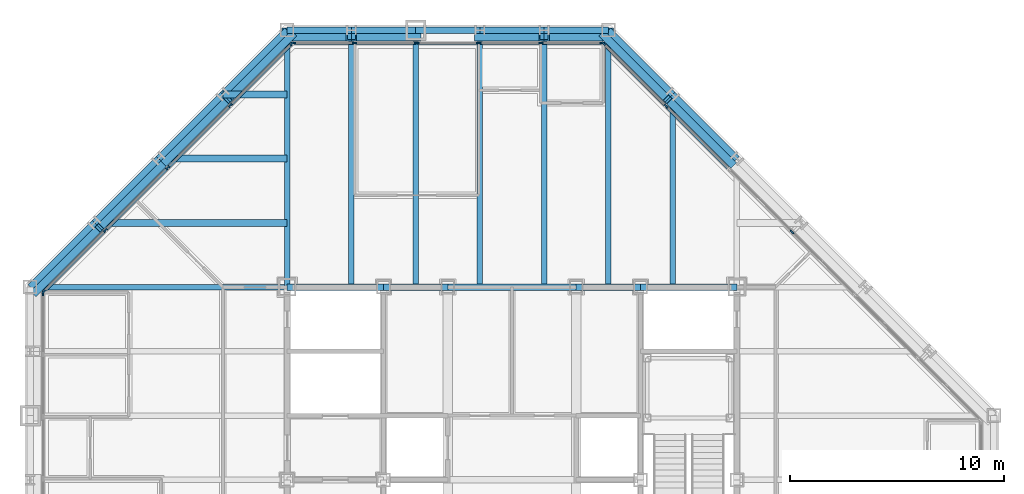
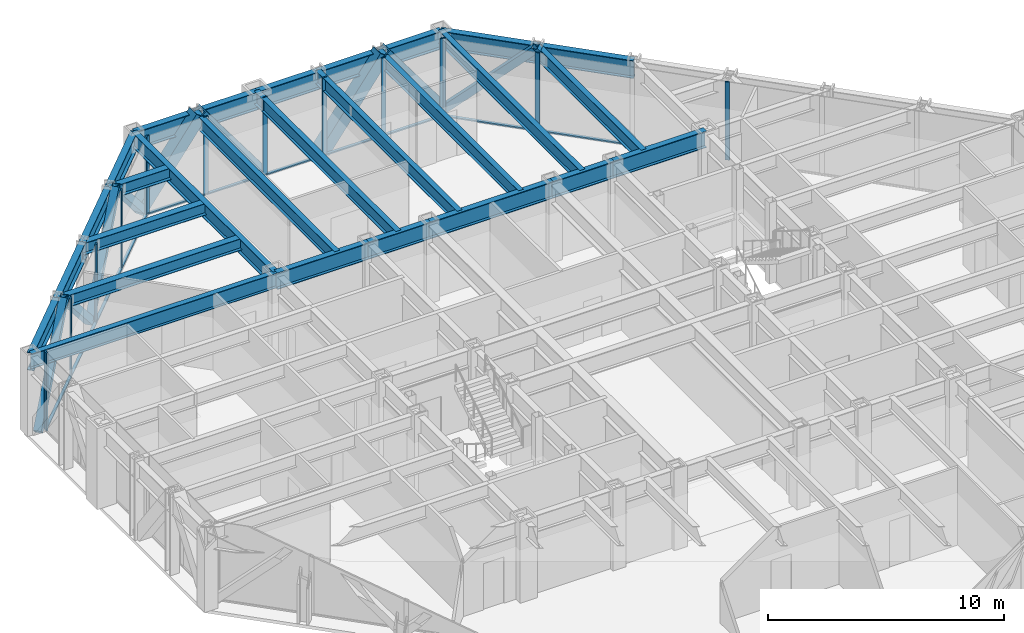
# One storey, part 8 of 16: 36 members, 27 beams, 4 elements without a shape of their own.
"""IFC4 building model written with IfcOpenShell, lengths in metres."""

from ifc_helpers import new_model, si_unit, direction, frame, origin, origin_2d, place, context, subcontext, project, spatial, rectangle, hollow_rectangle, i_section, extrude, material, layer, layer_set, material_profile, profile_set, type_object, element, aggregate, save


model = new_model("IFC4")

# Units and contexts
model_context = context("Model", 3, precision=1e-05, world=origin(), true_north=direction((0.0, 1.0)))
body_context = subcontext(model_context, "Body", "Model", "MODEL_VIEW")
ifc_project = project(units=[si_unit("LENGTHUNIT", "METRE"), si_unit("AREAUNIT", "SQUARE_METRE"), si_unit("VOLUMEUNIT", "CUBIC_METRE"), si_unit("PLANEANGLEUNIT", "RADIAN"), si_unit("MASSUNIT", "GRAM", prefix="KILO")], contexts=[model_context])

# Site, building, storey
site_placement = place(None, origin())
site = spatial("IfcSite", under=ifc_project, at=site_placement, CompositionType="ELEMENT")
building_placement = place(site_placement, origin())
building = spatial("IfcBuilding", under=site, at=building_placement, Name="Chuquiago Exchange Tower", CompositionType="ELEMENT")
storey_placement = place(building_placement, frame((0.0, 0.0, 213.89990234375)))
storey = spatial("IfcBuildingStorey", under=building, at=storey_placement, Name="L47", CompositionType="ELEMENT", Elevation=213.89990234375)

# Beams
ifc_material_1 = material(Name="Steel ASTM A992", Category="steel")
ifc_material_profile_1 = material_profile(ifc_material_1, i_section(OverallWidth=0.25390625, OverallDepth=0.683349609375, WebThickness=0.012451171875, FlangeThickness=0.018798828125, at=origin_2d()), Name="W27X94")
ifc_profile_set_1 = profile_set([ifc_material_profile_1], Name="Steel ASTM A992")
beam_type_1 = type_object("IfcBeamType", Name="B1 W27X94", PredefinedType="BEAM", material=ifc_profile_set_1)
for number, where, z_axis, x_axis, name in (
    (1, (15.0, 33.0, 3.698486328125), (0.0, 1.0, 0.0), (-1.0, 0.0, 0.0), "FB-L48-infill-15_33-15_45-0"),
    (2, (18.0, 33.0, 3.698486328125), (0.0, 1.0, 0.0), (-1.0, 0.0, 0.0), "FB-L48-infill-18_33-18_45-0"),
    (3, (21.0, 33.0, 3.698486328125), (0.0, 1.0, 0.0), (-1.0, 0.0, 0.0), "FB-L48-infill-21_33-21_45-0"),
    (4, (24.0, 33.0, 3.698486328125), (0.0, 1.0, 0.0), (-1.0, 0.0, 0.0), "FB-L48-infill-24_33-24_45-0"),
    (5, (27.0, 33.0, 3.698486328125), (0.0, 1.0, 0.0), (-1.0, 0.0, 0.0), "FB-L48-infill-27_33-27_45-0"),
):
    element("IfcBeam", number, at=place(storey_placement, frame(where, z_axis=z_axis, x_axis=x_axis)), inside=storey, type_object=beam_type_1, Name=name, PredefinedType="BEAM", context=body_context, shape_type="SweptSolid", body=[
        extrude(i_section(OverallWidth=0.25390625, OverallDepth=0.683349609375, WebThickness=0.012451171875, FlangeThickness=0.018798828125, at=origin_2d()), origin(), (0.0, 0.0, 1.0), 12.0),
    ])
beam_1_placement = place(storey_placement, frame((30.0, 33.0, 3.698486328125), z_axis=(0.0, 1.0, 0.0), x_axis=(-1.0, 0.0, 0.0)))
element("IfcBeam", 6, at=beam_1_placement, inside=storey, type_object=beam_type_1, Name="FB-L48-infill-30_33-30_42-0", PredefinedType="BEAM", context=body_context, shape_type="SweptSolid", body=[
    extrude(i_section(OverallWidth=0.25390625, OverallDepth=0.683349609375, WebThickness=0.012451171875, FlangeThickness=0.018798828125, at=origin_2d()), origin(), (0.0, 0.0, 1.0), 9.0),
])
ifc_material_2 = material(Name="Steel ASTM A992", Category="steel")
ifc_material_profile_2 = material_profile(ifc_material_2, i_section(OverallWidth=0.3251953125, OverallDepth=0.612060546875, WebThickness=0.0126953125, FlangeThickness=0.01904296875, at=origin_2d()), Name="W24X104")
ifc_profile_set_2 = profile_set([ifc_material_profile_2], Name="Steel ASTM A992")
beam_type_2 = type_object("IfcBeamType", Name="B2 W24X104", PredefinedType="BEAM", material=ifc_profile_set_2)
beam_2_placement = place(storey_placement, frame((12.0, 36.0, 3.73388671875), z_axis=(-1.0, 0.0, 0.0), x_axis=(0.0, -1.0, 0.0)))
element("IfcBeam", 7, at=beam_2_placement, inside=storey, type_object=beam_type_2, Name="FB-L48-corner-12_36-3_36-0", PredefinedType="BEAM", context=body_context, shape_type="SweptSolid", body=[
    extrude(i_section(OverallWidth=0.3251953125, OverallDepth=0.612060546875, WebThickness=0.0126953125, FlangeThickness=0.01904296875, at=origin_2d()), origin(), (0.0, 0.0, 1.0), 9.0),
])
beam_3_placement = place(storey_placement, frame((12.0, 39.0, 3.73388671875), z_axis=(-1.0, 0.0, 0.0), x_axis=(0.0, -1.0, 0.0)))
element("IfcBeam", 8, at=beam_3_placement, inside=storey, type_object=beam_type_2, Name="FB-L48-corner-12_39-6_39-0", PredefinedType="BEAM", context=body_context, shape_type="SweptSolid", body=[
    extrude(i_section(OverallWidth=0.3251953125, OverallDepth=0.612060546875, WebThickness=0.0126953125, FlangeThickness=0.01904296875, at=origin_2d()), origin(), (0.0, 0.0, 1.0), 6.0),
])
beam_4_placement = place(storey_placement, frame((12.0, 42.0, 3.73388671875), z_axis=(-1.0, 0.0, 0.0), x_axis=(0.0, -1.0, 0.0)))
element("IfcBeam", 9, at=beam_4_placement, inside=storey, type_object=beam_type_2, Name="FB-L48-corner-12_42-9_42-0", PredefinedType="BEAM", context=body_context, shape_type="SweptSolid", body=[
    extrude(i_section(OverallWidth=0.3251953125, OverallDepth=0.612060546875, WebThickness=0.0126953125, FlangeThickness=0.01904296875, at=origin_2d()), origin(), (0.0, 0.0, 1.0), 3.0),
])
ifc_material_3 = material(Name="Steel ASTM A992", Category="steel")
ifc_material_profile_3 = material_profile(ifc_material_3, i_section(OverallWidth=0.2919921875, OverallDepth=0.8583984375, WebThickness=0.01708984375, FlangeThickness=0.031005859375, at=origin_2d()), Name="W33X169")
ifc_profile_set_3 = profile_set([ifc_material_profile_3], Name="Steel ASTM A992")
beam_type_3 = type_object("IfcBeamType", Name="B3 W33X169", PredefinedType="BEAM", material=ifc_profile_set_3)
beam_5_placement = place(storey_placement, frame((12.0, 33.0, 3.61083984375), z_axis=(1.0, 0.0, 0.0), x_axis=(0.0, 1.0, 0.0)))
element("IfcBeam", 10, at=beam_5_placement, inside=storey, type_object=beam_type_3, Name="CB-L48-12_33-16.5_33", PredefinedType="BEAM", context=body_context, shape_type="SweptSolid", body=[
    extrude(i_section(OverallWidth=0.2919921875, OverallDepth=0.8583984375, WebThickness=0.01708984375, FlangeThickness=0.031005859375, at=origin_2d()), origin(), (0.0, 0.0, 1.0), 4.5),
])
beam_6_placement = place(storey_placement, frame((16.5, 33.0, 3.61083984375), z_axis=(1.0, 0.0, 0.0), x_axis=(0.0, 1.0, 0.0)))
element("IfcBeam", 11, at=beam_6_placement, inside=storey, type_object=beam_type_3, Name="CB-L48-16.5_33-19.5_33", PredefinedType="BEAM", context=body_context, shape_type="SweptSolid", body=[
    extrude(i_section(OverallWidth=0.2919921875, OverallDepth=0.8583984375, WebThickness=0.01708984375, FlangeThickness=0.031005859375, at=origin_2d()), origin(), (0.0, 0.0, 1.0), 3.0),
])
beam_7_placement = place(storey_placement, frame((19.5, 33.0, 3.61083984375), z_axis=(1.0, 0.0, 0.0), x_axis=(0.0, 1.0, 0.0)))
element("IfcBeam", 12, at=beam_7_placement, inside=storey, type_object=beam_type_3, Name="CB-L48-19.5_33-25.5_33", PredefinedType="BEAM", context=body_context, shape_type="SweptSolid", body=[
    extrude(i_section(OverallWidth=0.2919921875, OverallDepth=0.8583984375, WebThickness=0.01708984375, FlangeThickness=0.031005859375, at=origin_2d()), origin(), (0.0, 0.0, 1.0), 6.0),
])
beam_8_placement = place(storey_placement, frame((25.5, 33.0, 3.61083984375), z_axis=(1.0, 0.0, 0.0), x_axis=(0.0, 1.0, 0.0)))
element("IfcBeam", 13, at=beam_8_placement, inside=storey, type_object=beam_type_3, Name="CB-L48-25.5_33-28.5_33", PredefinedType="BEAM", context=body_context, shape_type="SweptSolid", body=[
    extrude(i_section(OverallWidth=0.2919921875, OverallDepth=0.8583984375, WebThickness=0.01708984375, FlangeThickness=0.031005859375, at=origin_2d()), origin(), (0.0, 0.0, 1.0), 3.0),
])
beam_9_placement = place(storey_placement, frame((28.5, 33.0, 3.61083984375), z_axis=(1.0, 0.0, 0.0), x_axis=(0.0, 1.0, 0.0)))
element("IfcBeam", 14, at=beam_9_placement, inside=storey, type_object=beam_type_3, Name="CB-L48-28.5_33-33_33", PredefinedType="BEAM", context=body_context, shape_type="SweptSolid", body=[
    extrude(i_section(OverallWidth=0.2919921875, OverallDepth=0.8583984375, WebThickness=0.01708984375, FlangeThickness=0.031005859375, at=origin_2d()), origin(), (0.0, 0.0, 1.0), 4.5),
])

# Curtain wall, members
ifc_material_4 = material(Name="Aluminium curtain wall system", Category="aluminium")
ifc_layer_1 = layer(ifc_material_4, 0.22509765625)
ifc_layer_set_1 = layer_set([ifc_layer_1], Name="CW2 office curtain wall")
curtain_wall_type_1 = type_object("IfcCurtainWallType", Name="CW2 office curtain wall", PredefinedType="NOTDEFINED", material=ifc_layer_set_1)
curtain_wall_1_placement = place(storey_placement, origin())
curtain_wall_1 = element("IfcCurtainWall", 15, at=curtain_wall_1_placement, inside=storey, type_object=curtain_wall_type_1, Name="CW2 curtain wall L47", PredefinedType="NOTDEFINED")
ifc_material_5 = material(Name="Aluminium mullion, pale anodised", Category="aluminium")
ifc_material_profile_4 = material_profile(ifc_material_5, rectangle(XDim=0.06494140625, YDim=0.22509765625, at=origin_2d()), Name="AL 65x225")
ifc_profile_set_4 = profile_set([ifc_material_profile_4], Name="Aluminium mullion, pale anodised")
member_type_1 = type_object("IfcMemberType", Name="CW2-M mullion 65x225", PredefinedType="MULLION", material=ifc_profile_set_4)
member_1_placement = place(storey_placement, frame((26.718994140625, 44.39990234375, 0.0), z_axis=(0.0, 0.0, 1.0), x_axis=(0.0, -1.0, 0.0)))
member_1 = element("IfcMember", 16, at=member_1_placement, type_object=member_type_1, Name="CW2 mullion 1", PredefinedType="MULLION", context=body_context, shape_type="SweptSolid", body=[
    extrude(rectangle(XDim=0.06494140625, YDim=0.22509765625, at=origin_2d()), origin(), (0.0, 0.0, 1.0), 4.0400390625),
])
member_2_placement = place(storey_placement, frame((23.850830078125, 44.39990234375, 0.0), z_axis=(0.0, 0.0, 1.0), x_axis=(0.0, -1.0, 0.0)))
member_2 = element("IfcMember", 17, at=member_2_placement, type_object=member_type_1, Name="CW2 mullion 2", PredefinedType="MULLION", context=body_context, shape_type="SweptSolid", body=[
    extrude(rectangle(XDim=0.06494140625, YDim=0.22509765625, at=origin_2d()), origin(), (0.0, 0.0, 1.0), 4.0400390625),
])
member_3_placement = place(storey_placement, frame((20.9501953125, 44.39990234375, 0.0), z_axis=(0.0, 0.0, 1.0), x_axis=(0.0, -1.0, 0.0)))
member_3 = element("IfcMember", 18, at=member_3_placement, type_object=member_type_1, Name="CW2 mullion 3", PredefinedType="MULLION", context=body_context, shape_type="SweptSolid", body=[
    extrude(rectangle(XDim=0.06494140625, YDim=0.22509765625, at=origin_2d()), origin(), (0.0, 0.0, 1.0), 4.0400390625),
])
member_4_placement = place(storey_placement, frame((18.0498046875, 44.39990234375, 0.0), z_axis=(0.0, 0.0, 1.0), x_axis=(0.0, -1.0, 0.0)))
member_4 = element("IfcMember", 19, at=member_4_placement, type_object=member_type_1, Name="CW2 mullion 4", PredefinedType="MULLION", context=body_context, shape_type="SweptSolid", body=[
    extrude(rectangle(XDim=0.06494140625, YDim=0.22509765625, at=origin_2d()), origin(), (0.0, 0.0, 1.0), 4.0400390625),
])
member_5_placement = place(storey_placement, frame((15.149169921875, 44.39990234375, 0.0), z_axis=(0.0, 0.0, 1.0), x_axis=(0.0, -1.0, 0.0)))
member_5 = element("IfcMember", 20, at=member_5_placement, type_object=member_type_1, Name="CW2 mullion 5", PredefinedType="MULLION", context=body_context, shape_type="SweptSolid", body=[
    extrude(rectangle(XDim=0.06494140625, YDim=0.22509765625, at=origin_2d()), origin(), (0.0, 0.0, 1.0), 4.0400390625),
])
member_6_placement = place(storey_placement, frame((12.281005859375, 44.39990234375, 0.0), z_axis=(0.0, 0.0, 1.0), x_axis=(0.0, -1.0, 0.0)))
member_6 = element("IfcMember", 21, at=member_6_placement, type_object=member_type_1, Name="CW2 mullion 6", PredefinedType="MULLION", context=body_context, shape_type="SweptSolid", body=[
    extrude(rectangle(XDim=0.06494140625, YDim=0.22509765625, at=origin_2d()), origin(), (0.0, 0.0, 1.0), 4.0400390625),
])

# Curtain wall, member
curtain_wall_2_placement = place(storey_placement, origin())
curtain_wall_2 = element("IfcCurtainWall", 22, at=curtain_wall_2_placement, inside=storey, type_object=curtain_wall_type_1, Name="CW2 curtain wall L47", PredefinedType="NOTDEFINED")
member_7_placement = place(storey_placement, frame((0.60009765625, 32.718994140625, 0.0), z_axis=(0.0, 0.0, 1.0), x_axis=(1.0, 0.0, 0.0)))
member_7 = element("IfcMember", 23, at=member_7_placement, type_object=member_type_1, Name="CW2 mullion 1", PredefinedType="MULLION", context=body_context, shape_type="SweptSolid", body=[
    extrude(rectangle(XDim=0.06494140625, YDim=0.22509765625, at=origin_2d()), origin(), (0.0, 0.0, 1.0), 4.0400390625),
])
aggregate(curtain_wall_2, [member_7])

# Member
ifc_material_6 = material(Name="Aluminium transom, pale anodised", Category="aluminium")
ifc_material_profile_5 = material_profile(ifc_material_6, rectangle(XDim=0.139892578125, YDim=0.06494140625, at=origin_2d()), Name="AL 140x65")
ifc_profile_set_5 = profile_set([ifc_material_profile_5], Name="Aluminium transom, pale anodised")
member_type_2 = type_object("IfcMemberType", Name="CW2-T transom 65x140", PredefinedType="MULLION", material=ifc_profile_set_5)
member_8_placement = place(storey_placement, frame((26.6865234375, 44.39990234375, 0.03271484375), z_axis=(-1.0, 0.0, 0.0), x_axis=(0.0, -1.0, 0.0)))
member_8 = element("IfcMember", 24, at=member_8_placement, type_object=member_type_2, Name="CW2 transom 1.1", PredefinedType="MULLION", context=body_context, shape_type="SweptSolid", body=[
    extrude(rectangle(XDim=0.139892578125, YDim=0.06494140625, at=origin_2d()), origin(), (0.0, 0.0, 1.0), 2.80322265625),
])

member_9_placement = place(storey_placement, frame((23.818359375, 44.39990234375, 0.03271484375), z_axis=(-1.0, 0.0, 0.0), x_axis=(0.0, -1.0, 0.0)))
member_9 = element("IfcMember", 25, at=member_9_placement, type_object=member_type_2, Name="CW2 transom 2.1", PredefinedType="MULLION", context=body_context, shape_type="SweptSolid", body=[
    extrude(rectangle(XDim=0.139892578125, YDim=0.06494140625, at=origin_2d()), origin(), (0.0, 0.0, 1.0), 2.83544921875),
])

member_10_placement = place(storey_placement, frame((20.917724609375, 44.39990234375, 0.03271484375), z_axis=(-1.0, 0.0, 0.0), x_axis=(0.0, -1.0, 0.0)))
member_10 = element("IfcMember", 26, at=member_10_placement, type_object=member_type_2, Name="CW2 transom 3.1", PredefinedType="MULLION", context=body_context, shape_type="SweptSolid", body=[
    extrude(rectangle(XDim=0.139892578125, YDim=0.06494140625, at=origin_2d()), origin(), (0.0, 0.0, 1.0), 2.83544921875),
])

member_11_placement = place(storey_placement, frame((18.01708984375, 44.39990234375, 0.03271484375), z_axis=(-1.0, 0.0, 0.0), x_axis=(0.0, -1.0, 0.0)))
member_11 = element("IfcMember", 27, at=member_11_placement, type_object=member_type_2, Name="CW2 transom 4.1", PredefinedType="MULLION", context=body_context, shape_type="SweptSolid", body=[
    extrude(rectangle(XDim=0.139892578125, YDim=0.06494140625, at=origin_2d()), origin(), (0.0, 0.0, 1.0), 2.83544921875),
])

member_12_placement = place(storey_placement, frame((15.11669921875, 44.39990234375, 0.03271484375), z_axis=(-1.0, 0.0, 0.0), x_axis=(0.0, -1.0, 0.0)))
member_12 = element("IfcMember", 28, at=member_12_placement, type_object=member_type_2, Name="CW2 transom 5.1", PredefinedType="MULLION", context=body_context, shape_type="SweptSolid", body=[
    extrude(rectangle(XDim=0.139892578125, YDim=0.06494140625, at=origin_2d()), origin(), (0.0, 0.0, 1.0), 2.80322265625),
])

aggregate(curtain_wall_1, [member_1, member_2, member_3, member_4, member_5, member_6, member_8, member_9, member_10, member_11, member_12])

# Curtain wall, members
ifc_material_7 = material(Name="Aluminium curtain wall system", Category="aluminium")
ifc_layer_2 = layer(ifc_material_7, 0.199951171875)
ifc_layer_set_2 = layer_set([ifc_layer_2], Name="CW3 facet curtain wall")
curtain_wall_type_2 = type_object("IfcCurtainWallType", Name="CW3 facet curtain wall", PredefinedType="NOTDEFINED", material=ifc_layer_set_2)
curtain_wall_3_placement = place(storey_placement, origin())
curtain_wall_3 = element("IfcCurtainWall", 29, at=curtain_wall_3_placement, inside=storey, type_object=curtain_wall_type_2, Name="CW3 curtain wall L47", PredefinedType="NOTDEFINED")
ifc_material_8 = material(Name="Aluminium mullion, pale anodised", Category="aluminium")
ifc_material_profile_6 = material_profile(ifc_material_8, rectangle(XDim=0.06494140625, YDim=0.199951171875, at=origin_2d()), Name="AL 65x200")
ifc_profile_set_6 = profile_set([ifc_material_profile_6], Name="Aluminium mullion, pale anodised")
member_type_3 = type_object("IfcMemberType", Name="CW3-M mullion 65x200", PredefinedType="MULLION", material=ifc_profile_set_6)
member_13_placement = place(storey_placement, frame((35.57568359375, 35.57568359375, 0.0), z_axis=(0.0, 0.0, 1.0), x_axis=(-0.707106781187, -0.707106781187, 0.0)))
member_13 = element("IfcMember", 30, at=member_13_placement, type_object=member_type_3, Name="CW3 mullion 4", PredefinedType="MULLION", context=body_context, shape_type="SweptSolid", body=[
    extrude(rectangle(XDim=0.06494140625, YDim=0.199951171875, at=origin_2d()), origin(), (0.0, 0.0, 1.0), 4.0400390625),
])
member_14_placement = place(storey_placement, frame((29.69287109375, 41.45849609375, 0.0), z_axis=(0.0, 0.0, 1.0), x_axis=(-0.707106781187, -0.707106781187, 0.0)))
member_14 = element("IfcMember", 31, at=member_14_placement, type_object=member_type_3, Name="CW3 mullion 6", PredefinedType="MULLION", context=body_context, shape_type="SweptSolid", body=[
    extrude(rectangle(XDim=0.06494140625, YDim=0.199951171875, at=origin_2d()), origin(), (0.0, 0.0, 1.0), 4.0400390625),
])
member_15_placement = place(storey_placement, frame((26.7744140625, 44.376953125, 0.0), z_axis=(0.0, 0.0, 1.0), x_axis=(-0.707106781187, -0.707106781187, 0.0)))
member_15 = element("IfcMember", 32, at=member_15_placement, type_object=member_type_3, Name="CW3 mullion 7", PredefinedType="MULLION", context=body_context, shape_type="SweptSolid", body=[
    extrude(rectangle(XDim=0.06494140625, YDim=0.199951171875, at=origin_2d()), origin(), (0.0, 0.0, 1.0), 4.0400390625),
])

curtain_wall_4_placement = place(storey_placement, origin())
curtain_wall_4 = element("IfcCurtainWall", 33, at=curtain_wall_4_placement, inside=storey, type_object=curtain_wall_type_2, Name="CW3 curtain wall L47", PredefinedType="NOTDEFINED")
member_16_placement = place(storey_placement, frame((12.2255859375, 44.376953125, 0.0), z_axis=(0.0, 0.0, 1.0), x_axis=(0.707106781187, -0.707106781187, 0.0)))
member_16 = element("IfcMember", 34, at=member_16_placement, type_object=member_type_3, Name="CW3 mullion 1", PredefinedType="MULLION", context=body_context, shape_type="SweptSolid", body=[
    extrude(rectangle(XDim=0.06494140625, YDim=0.199951171875, at=origin_2d()), origin(), (0.0, 0.0, 1.0), 4.0400390625),
])
member_17_placement = place(storey_placement, frame((9.33642578125, 41.48779296875, 0.0), z_axis=(0.0, 0.0, 1.0), x_axis=(0.707106781187, -0.707106781187, 0.0)))
member_17 = element("IfcMember", 35, at=member_17_placement, type_object=member_type_3, Name="CW3 mullion 2", PredefinedType="MULLION", context=body_context, shape_type="SweptSolid", body=[
    extrude(rectangle(XDim=0.06494140625, YDim=0.199951171875, at=origin_2d()), origin(), (0.0, 0.0, 1.0), 4.0400390625),
])
member_18_placement = place(storey_placement, frame((6.42431640625, 38.57568359375, 0.0), z_axis=(0.0, 0.0, 1.0), x_axis=(0.707106781187, -0.707106781187, 0.0)))
member_18 = element("IfcMember", 36, at=member_18_placement, type_object=member_type_3, Name="CW3 mullion 3", PredefinedType="MULLION", context=body_context, shape_type="SweptSolid", body=[
    extrude(rectangle(XDim=0.06494140625, YDim=0.199951171875, at=origin_2d()), origin(), (0.0, 0.0, 1.0), 4.0400390625),
])
member_19_placement = place(storey_placement, frame((3.51220703125, 35.66357421875, 0.0), z_axis=(0.0, 0.0, 1.0), x_axis=(0.707106781187, -0.707106781187, 0.0)))
member_19 = element("IfcMember", 37, at=member_19_placement, type_object=member_type_3, Name="CW3 mullion 4", PredefinedType="MULLION", context=body_context, shape_type="SweptSolid", body=[
    extrude(rectangle(XDim=0.06494140625, YDim=0.199951171875, at=origin_2d()), origin(), (0.0, 0.0, 1.0), 4.0400390625),
])
member_20_placement = place(storey_placement, frame((0.623046875, 32.7744140625, 0.0), z_axis=(0.0, 0.0, 1.0), x_axis=(0.707106781187, -0.707106781187, 0.0)))
member_20 = element("IfcMember", 38, at=member_20_placement, type_object=member_type_3, Name="CW3 mullion 5", PredefinedType="MULLION", context=body_context, shape_type="SweptSolid", body=[
    extrude(rectangle(XDim=0.06494140625, YDim=0.199951171875, at=origin_2d()), origin(), (0.0, 0.0, 1.0), 4.0400390625),
])

# Member
ifc_material_9 = material(Name="Aluminium transom, pale anodised", Category="aluminium")
ifc_material_profile_7 = material_profile(ifc_material_9, rectangle(XDim=0.139892578125, YDim=0.06494140625, at=origin_2d()), Name="AL 140x65")
ifc_profile_set_7 = profile_set([ifc_material_profile_7], Name="Aluminium transom, pale anodised")
member_type_4 = type_object("IfcMemberType", Name="CW3-T transom 65x140", PredefinedType="MULLION", material=ifc_profile_set_7)
member_21_placement = place(storey_placement, frame((32.611328125, 38.5400390625, 0.03271484375), z_axis=(-0.707106781187, 0.707106781187, 0.0), x_axis=(-0.707106781187, -0.707106781187, 0.0)))
member_21 = element("IfcMember", 39, at=member_21_placement, type_object=member_type_4, Name="CW3 transom 5.1", PredefinedType="MULLION", context=body_context, shape_type="SweptSolid", body=[
    extrude(rectangle(XDim=0.139892578125, YDim=0.06494140625, at=origin_2d()), origin(), (0.0, 0.0, 1.0), 4.094970703125),
])

member_22_placement = place(storey_placement, frame((29.669921875, 41.4814453125, 0.03271484375), z_axis=(-0.707106781187, 0.707106781187, 0.0), x_axis=(-0.707106781187, -0.707106781187, 0.0)))
member_22 = element("IfcMember", 40, at=member_22_placement, type_object=member_type_4, Name="CW3 transom 6.1", PredefinedType="MULLION", context=body_context, shape_type="SweptSolid", body=[
    extrude(rectangle(XDim=0.139892578125, YDim=0.06494140625, at=origin_2d()), origin(), (0.0, 0.0, 1.0), 4.0625),
])

aggregate(curtain_wall_3, [member_13, member_14, member_15, member_21, member_22])

member_23_placement = place(storey_placement, frame((12.20263671875, 44.35400390625, 0.03271484375), z_axis=(-0.707106781187, -0.707106781187, 0.0), x_axis=(0.707106781187, -0.707106781187, 0.0)))
member_23 = element("IfcMember", 41, at=member_23_placement, type_object=member_type_4, Name="CW3 transom 1.1", PredefinedType="MULLION", context=body_context, shape_type="SweptSolid", body=[
    extrude(rectangle(XDim=0.139892578125, YDim=0.06494140625, at=origin_2d()), origin(), (0.0, 0.0, 1.0), 4.02099609375),
])

member_24_placement = place(storey_placement, frame((9.3134765625, 41.46484375, 0.03271484375), z_axis=(-0.707106781187, -0.707106781187, 0.0), x_axis=(0.707106781187, -0.707106781187, 0.0)))
member_24 = element("IfcMember", 42, at=member_24_placement, type_object=member_type_4, Name="CW3 transom 2.1", PredefinedType="MULLION", context=body_context, shape_type="SweptSolid", body=[
    extrude(rectangle(XDim=0.139892578125, YDim=0.06494140625, at=origin_2d()), origin(), (0.0, 0.0, 1.0), 4.053466796875),
])

member_25_placement = place(storey_placement, frame((6.4013671875, 38.552734375, 0.03271484375), z_axis=(-0.707106781187, -0.707106781187, 0.0), x_axis=(0.707106781187, -0.707106781187, 0.0)))
member_25 = element("IfcMember", 43, at=member_25_placement, type_object=member_type_4, Name="CW3 transom 3.1", PredefinedType="MULLION", context=body_context, shape_type="SweptSolid", body=[
    extrude(rectangle(XDim=0.139892578125, YDim=0.06494140625, at=origin_2d()), origin(), (0.0, 0.0, 1.0), 4.053466796875),
])

member_26_placement = place(storey_placement, frame((3.4892578125, 35.640625, 0.03271484375), z_axis=(-0.707106781187, -0.707106781187, 0.0), x_axis=(0.707106781187, -0.707106781187, 0.0)))
member_26 = element("IfcMember", 44, at=member_26_placement, type_object=member_type_4, Name="CW3 transom 4.1", PredefinedType="MULLION", context=body_context, shape_type="SweptSolid", body=[
    extrude(rectangle(XDim=0.139892578125, YDim=0.06494140625, at=origin_2d()), origin(), (0.0, 0.0, 1.0), 4.02099609375),
])

aggregate(curtain_wall_4, [member_16, member_17, member_18, member_19, member_20, member_23, member_24, member_25, member_26])

# Beams
ifc_material_10 = material(Name="Steel ASTM A992", Category="steel")
ifc_material_profile_8 = material_profile(ifc_material_10, i_section(OverallWidth=0.2666015625, OverallDepth=0.76953125, WebThickness=0.015625, FlangeThickness=0.025390625, at=origin_2d()), Name="W30X132")
ifc_profile_set_8 = profile_set([ifc_material_profile_8], Name="Steel ASTM A992")
beam_type_4 = type_object("IfcBeamType", Name="G1 W30X132", PredefinedType="BEAM", material=ifc_profile_set_8)
for number, where, z_axis, x_axis, name in (
    (45, (12.0, 33.0, 3.6552734375), (0.0, 1.0, 0.0), (-1.0, 0.0, 0.0), "FB-L48-girder-12_33-12_45-0"),
    (46, (12.0, 33.0, 3.6552734375), (-1.0, 0.0, 0.0), (0.0, -1.0, 0.0), "FB-L48-girder-12_33--0_33-0"),
):
    element("IfcBeam", number, at=place(storey_placement, frame(where, z_axis=z_axis, x_axis=x_axis)), inside=storey, type_object=beam_type_4, Name=name, PredefinedType="BEAM", context=body_context, shape_type="SweptSolid", body=[
        extrude(i_section(OverallWidth=0.2666015625, OverallDepth=0.76953125, WebThickness=0.015625, FlangeThickness=0.025390625, at=origin_2d()), origin(), (0.0, 0.0, 1.0), 12.0),
    ])

# Members
ifc_material_11 = material(Name="Steel ASTM A500 Grade C", Category="steel")
ifc_material_profile_9 = material_profile(ifc_material_11, hollow_rectangle(XDim=0.355712890625, YDim=0.355712890625, WallThickness=0.0146484375, at=origin_2d()), Name="HSS14X14X5/8")
ifc_profile_set_9 = profile_set([ifc_material_profile_9], Name="Steel ASTM A500 Grade C")
member_type_5 = type_object("IfcMemberType", Name="LB2 HSS14X14X5/8", PredefinedType="BRACE", material=ifc_profile_set_9)
for number, where, z_axis, x_axis, name in (
    (47, (32.7685546875, 38.7685546875, 0.0), (-0.512077265487, 0.512077265487, 0.689604051861), (-0.707106781187, -0.707106781187, 0.0), "LB-L47-33_39-30_42"),
    (48, (26.7685546875, 44.7685546875, 0.0), (0.512077265487, -0.512077265487, 0.689604051861), (0.707106781187, 0.707106781187, 0.0), "LB-L47-30_42-27_45"),
    (49, (12.2314453125, 44.7685546875, 0.0), (-0.512077265487, -0.512077265487, 0.689604051861), (0.707106781187, -0.707106781187, 0.0), "LB-L47-12_45-9_42"),
    (50, (6.2314453125, 38.7685546875, 0.0), (0.512077265487, 0.512077265487, 0.689604051861), (-0.707106781187, 0.707106781187, 0.0), "LB-L47-9_42-6_39"),
    (51, (6.2314453125, 38.7685546875, 0.0), (-0.512077265487, -0.512077265487, 0.689604051861), (0.707106781187, -0.707106781187, 0.0), "LB-L47-6_39-3_36"),
    (52, (0.2314453125, 32.7685546875, 0.0), (0.512077265487, 0.512077265487, 0.689604051861), (-0.707106781187, 0.707106781187, 0.0), "LB-L47-3_36-0_33"),
):
    element("IfcMember", number, at=place(storey_placement, frame(where, z_axis=z_axis, x_axis=x_axis)), inside=storey, type_object=member_type_5, Name=name, PredefinedType="BRACE", context=body_context, shape_type="SweptSolid", body=[
        extrude(hollow_rectangle(XDim=0.355712890625, YDim=0.355712890625, WallThickness=0.0146484375, at=origin_2d()), origin(), (0.0, 0.0, 1.0), 5.8583984375),
    ])
ifc_material_12 = material(Name="Steel ASTM A572 Grade 50", Category="steel")
ifc_material_profile_10 = material_profile(ifc_material_12, hollow_rectangle(XDim=0.60009765625, YDim=0.60009765625, WallThickness=0.06005859375, at=origin_2d()), Name="BOX600X600X60")
ifc_profile_set_10 = profile_set([ifc_material_profile_10], Name="Steel ASTM A572 Grade 50")
member_type_6 = type_object("IfcMemberType", Name="MB3 BOX600X600X60", PredefinedType="BRACE", material=ifc_profile_set_10)
for number, where, z_axis, x_axis, name in (
    (53, (27.0, 44.794921875, 0.0), (-0.596173923302, 0.0, 0.802855312728), (0.0, -1.0, 0.0), "Mega diagonal L47 N face"),
    (54, (21.0, 44.794921875, 0.0), (0.596173923302, 0.0, 0.802855312728), (0.0, 1.0, 0.0), "Mega diagonal L47 N face"),
    (55, (18.0, 44.794921875, 0.0), (-0.596173923302, 0.0, 0.802855312728), (0.0, -1.0, 0.0), "Mega diagonal L47 N face"),
    (56, (12.0, 44.794921875, 0.0), (0.596173923302, 0.0, 0.802855312728), (0.0, 1.0, 0.0), "Mega diagonal L47 N face"),
):
    element("IfcMember", number, at=place(storey_placement, frame(where, z_axis=z_axis, x_axis=x_axis)), inside=storey, type_object=member_type_6, Name=name, PredefinedType="BRACE", context=body_context, shape_type="SweptSolid", body=[
        extrude(hollow_rectangle(XDim=0.60009765625, YDim=0.60009765625, WallThickness=0.06005859375, at=origin_2d()), origin(), (0.0, 0.0, 1.0), 5.031982421875),
    ])

# Beams
ifc_material_13 = material(Name="Steel ASTM A992", Category="steel")
ifc_material_profile_11 = material_profile(ifc_material_13, i_section(OverallWidth=0.307373046875, OverallDepth=0.927001953125, WebThickness=0.01953125, FlangeThickness=0.031982421875, at=origin_2d()), Name="W36X194")
ifc_profile_set_11 = profile_set([ifc_material_profile_11], Name="Steel ASTM A992")
beam_type_5 = type_object("IfcBeamType", Name="SP3 W36X194", PredefinedType="SPANDREL", material=ifc_profile_set_11)
for number, where, z_axis, x_axis, name in (
    (57, (33.0, 39.0, 3.576416015625), (-0.707106781187, 0.707106781187, 0.0), (-0.707106781187, -0.707106781187, 0.0), "SPB-L48-33_39-30_42"),
    (58, (30.0, 42.0, 3.576416015625), (-0.707106781187, 0.707106781187, 0.0), (-0.707106781187, -0.707106781187, 0.0), "SPB-L48-30_42-27_45"),
):
    element("IfcBeam", number, at=place(storey_placement, frame(where, z_axis=z_axis, x_axis=x_axis)), inside=storey, type_object=beam_type_5, Name=name, PredefinedType="SPANDREL", context=body_context, shape_type="SweptSolid", body=[
        extrude(i_section(OverallWidth=0.307373046875, OverallDepth=0.927001953125, WebThickness=0.01953125, FlangeThickness=0.031982421875, at=origin_2d()), origin(), (0.0, 0.0, 1.0), 4.24267578125),
    ])
for number, where, z_axis, x_axis, name in (
    (59, (27.0, 45.0, 3.576416015625), (-1.0, 0.0, 0.0), (0.0, -1.0, 0.0), "SPB-L48-27_45-24_45"),
    (60, (24.0, 45.0, 3.576416015625), (-1.0, 0.0, 0.0), (0.0, -1.0, 0.0), "SPB-L48-24_45-21_45"),
    (61, (21.0, 45.0, 3.576416015625), (-1.0, 0.0, 0.0), (0.0, -1.0, 0.0), "SPB-L48-21_45-18_45"),
    (62, (18.0, 45.0, 3.576416015625), (-1.0, 0.0, 0.0), (0.0, -1.0, 0.0), "SPB-L48-18_45-15_45"),
    (63, (15.0, 45.0, 3.576416015625), (-1.0, 0.0, 0.0), (0.0, -1.0, 0.0), "SPB-L48-15_45-12_45"),
):
    element("IfcBeam", number, at=place(storey_placement, frame(where, z_axis=z_axis, x_axis=x_axis)), inside=storey, type_object=beam_type_5, Name=name, PredefinedType="SPANDREL", context=body_context, shape_type="SweptSolid", body=[
        extrude(i_section(OverallWidth=0.307373046875, OverallDepth=0.927001953125, WebThickness=0.01953125, FlangeThickness=0.031982421875, at=origin_2d()), origin(), (0.0, 0.0, 1.0), 3.0),
    ])
for number, where, z_axis, x_axis, name in (
    (64, (12.0, 45.0, 3.576416015625), (-0.707106781187, -0.707106781187, 0.0), (0.707106781187, -0.707106781187, 0.0), "SPB-L48-12_45-9_42"),
    (65, (9.0, 42.0, 3.576416015625), (-0.707106781187, -0.707106781187, 0.0), (0.707106781187, -0.707106781187, 0.0), "SPB-L48-9_42-6_39"),
    (66, (6.0, 39.0, 3.576416015625), (-0.707106781187, -0.707106781187, 0.0), (0.707106781187, -0.707106781187, 0.0), "SPB-L48-6_39-3_36"),
    (67, (3.0, 36.0, 3.576416015625), (-0.707106781187, -0.707106781187, 0.0), (0.707106781187, -0.707106781187, 0.0), "SPB-L48-3_36-0_33"),
):
    element("IfcBeam", number, at=place(storey_placement, frame(where, z_axis=z_axis, x_axis=x_axis)), inside=storey, type_object=beam_type_5, Name=name, PredefinedType="SPANDREL", context=body_context, shape_type="SweptSolid", body=[
        extrude(i_section(OverallWidth=0.307373046875, OverallDepth=0.927001953125, WebThickness=0.01953125, FlangeThickness=0.031982421875, at=origin_2d()), origin(), (0.0, 0.0, 1.0), 4.24267578125),
    ])

save(model, "model.ifc")
